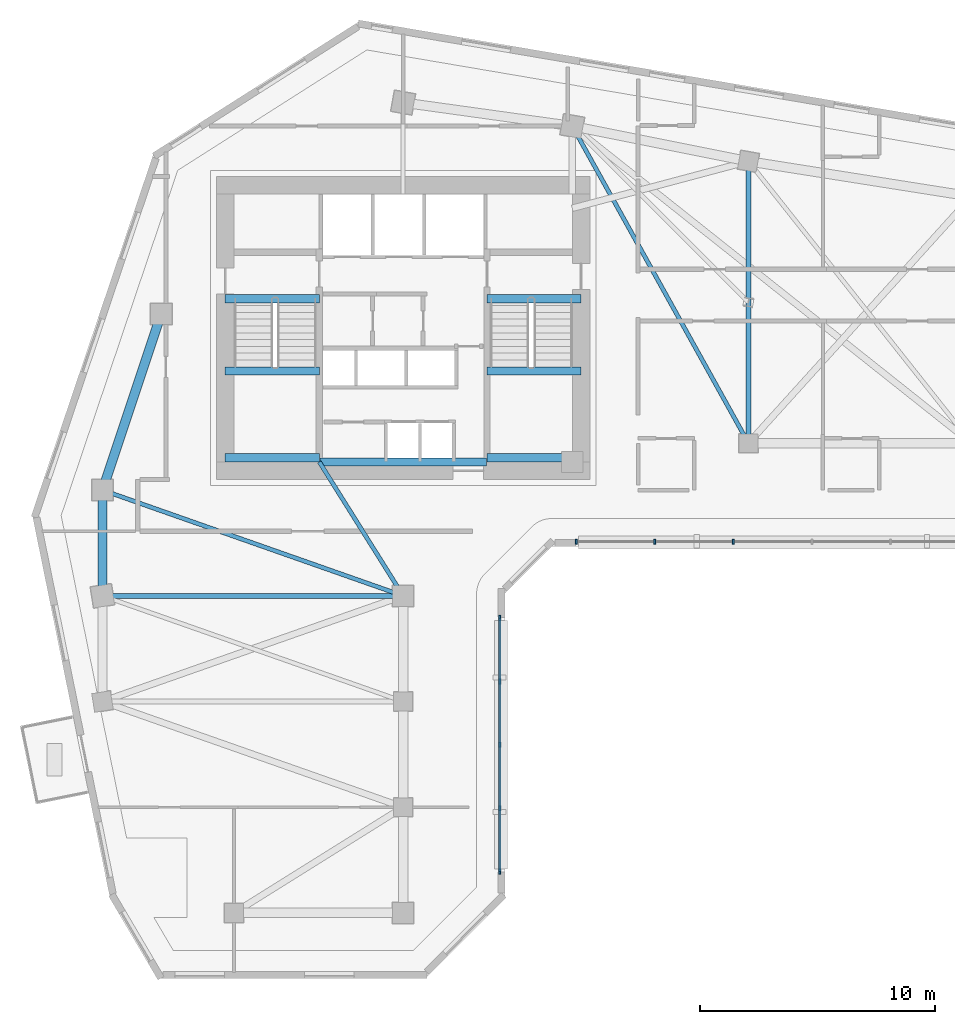
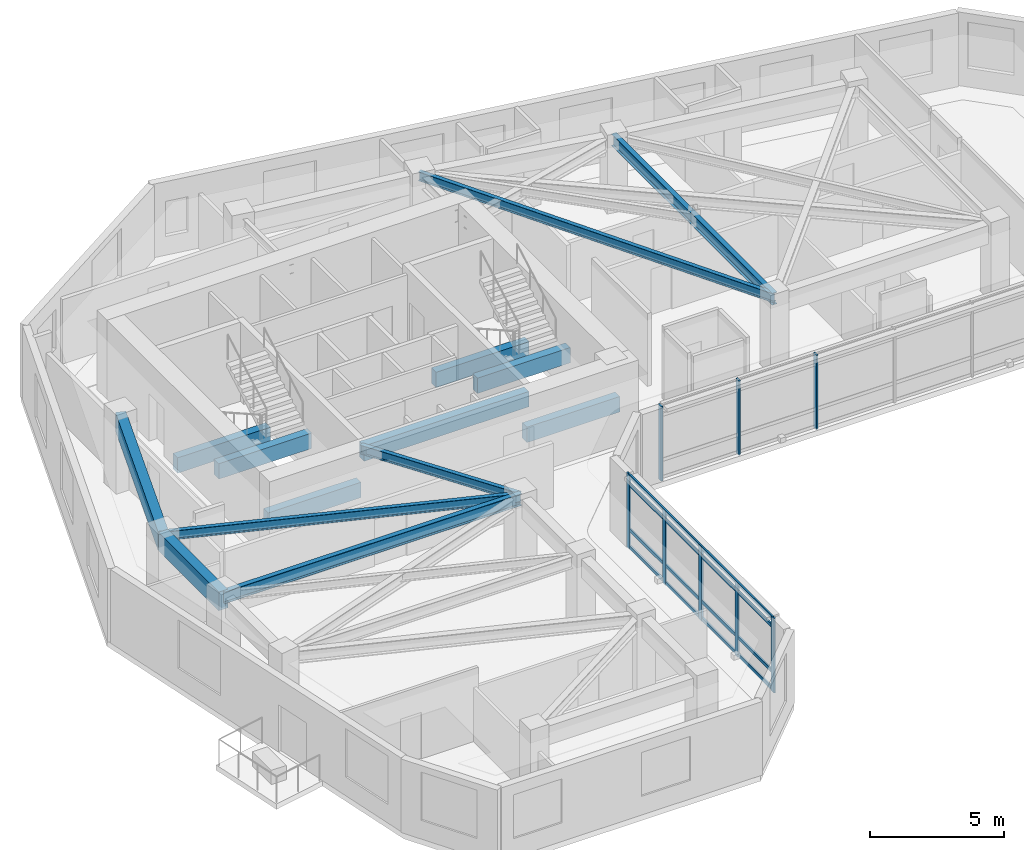
# One storey, part 2 of 11: 14 beams, 12 members, 2 elements without a shape of their own.
"""IFC4 building model written with IfcOpenShell, lengths in metres."""

from ifc_helpers import new_model, si_unit, direction, frame, origin, origin_2d, place, context, subcontext, project, spatial, rectangle, i_section, extrude, source, transform, mapped, material, material_profile, profile_set, type_object, element, aggregate, save


model = new_model("IFC4")

# Units and contexts
model_context = context("Model", 3, precision=1e-05, world=origin(), true_north=direction((0.0, 1.0)))
body_context = subcontext(model_context, "Body", "Model", "MODEL_VIEW")
ifc_project = project(units=[si_unit("LENGTHUNIT", "METRE"), si_unit("AREAUNIT", "SQUARE_METRE"), si_unit("VOLUMEUNIT", "CUBIC_METRE"), si_unit("PLANEANGLEUNIT", "RADIAN"), si_unit("MASSUNIT", "GRAM", prefix="KILO")], contexts=[model_context])

# Site, building, storey
site_placement = place(None, origin())
site = spatial("IfcSite", under=ifc_project, at=site_placement, CompositionType="ELEMENT")
building_placement = place(site_placement, origin())
building = spatial("IfcBuilding", under=site, at=building_placement, Name="Calvemar Wedge Station Tower", CompositionType="ELEMENT")
storey_placement = place(building_placement, frame((0.0, 0.0, 157.39990234375)))
storey = spatial("IfcBuildingStorey", under=building, at=storey_placement, Name="L39", CompositionType="ELEMENT", Elevation=157.39990234375)

# Beams
ifc_material_1 = material(Name="Concrete C60", Category="concrete")
ifc_material_profile_1 = material_profile(ifc_material_1, rectangle(XDim=0.39990234375, YDim=0.85009765625, at=origin_2d()), Name="RC400x850")
ifc_profile_set_1 = profile_set([ifc_material_profile_1], Name="Concrete C60")
beam_type_1 = type_object("IfcBeamType", Name="BM-SP1-850", PredefinedType="SPANDREL", material=ifc_profile_set_1)
shared_shape_1 = source(origin(), body_context, "Body", "SweptSolid", [
    extrude(rectangle(XDim=0.39990234375, YDim=0.85009765625, at=origin_2d()), origin(), (0.0, 0.0, 1.0), 7.90576171875),
])
beam_1_placement = place(storey_placement, frame((11.0, 33.0, 2.925048828125), z_axis=(0.316227766017, 0.948683298051, 0.0), x_axis=(-0.948683298051, 0.316227766017, 0.0)))
element("IfcBeam", 1, at=beam_1_placement, inside=storey, type_object=beam_type_1, Name="Storey L39 Spandrel T-NW1-T-NW2", PredefinedType="SPANDREL", context=body_context, shape_type="MappedRepresentation", body=[
    mapped(shared_shape_1, transform((0.0, 0.0, 0.0), scale=1.0)),
])
shared_shape_2 = source(origin(), body_context, "Body", "SweptSolid", [
    extrude(rectangle(XDim=0.39990234375, YDim=0.85009765625, at=origin_2d()), origin(), (0.0, 0.0, 1.0), 4.5),
])
beam_2_placement = place(storey_placement, frame((11.0, 33.0, 2.925048828125), z_axis=(0.0, -1.0, 0.0), x_axis=(1.0, 0.0, 0.0)))
element("IfcBeam", 2, at=beam_2_placement, inside=storey, type_object=beam_type_1, Name="Storey L39 Spandrel T-NW1-T-SW1", PredefinedType="SPANDREL", context=body_context, shape_type="MappedRepresentation", body=[
    mapped(shared_shape_2, transform((0.0, 0.0, 0.0), scale=1.0)),
])
ifc_material_2 = material(Name="Structural steel ASTM A572 Grade 50", Category="steel")
ifc_material_profile_2 = material_profile(ifc_material_2, i_section(OverallWidth=0.177978515625, OverallDepth=0.406982421875, WebThickness=0.0078125, FlangeThickness=0.0126953125, FilletRadius=0.010009765625, at=origin_2d()), Name="W410x60")
ifc_profile_set_2 = profile_set([ifc_material_profile_2], Name="Structural steel ASTM A572 Grade 50")
beam_type_2 = type_object("IfcBeamType", Name="BM-J3-W410", PredefinedType="JOIST", material=ifc_profile_set_2)
shared_shape_3 = source(origin(), body_context, "Body", "SweptSolid", [
    extrude(i_section(OverallWidth=0.177978515625, OverallDepth=0.406982421875, WebThickness=0.0078125, FlangeThickness=0.0126953125, FilletRadius=0.010009765625, at=origin_2d()), origin(), (0.0, 0.0, 1.0), 15.443359375),
])
beam_3_placement = place(storey_placement, frame((31.0, 48.5, 3.146484375), z_axis=(0.485642931179, -0.874157276122, 0.0), x_axis=(0.874157276122, 0.485642931179, 0.0)))
element("IfcBeam", 3, at=beam_3_placement, inside=storey, type_object=beam_type_2, Name="Storey L39 Floor Beam T-N2-T-NL2", PredefinedType="JOIST", context=body_context, shape_type="MappedRepresentation", body=[
    mapped(shared_shape_3, transform((0.0, 0.0, 0.0), scale=1.0)),
])
shared_shape_4 = source(origin(), body_context, "Body", "SweptSolid", [
    extrude(i_section(OverallWidth=0.177978515625, OverallDepth=0.406982421875, WebThickness=0.0078125, FlangeThickness=0.0126953125, FilletRadius=0.010009765625, at=origin_2d()), origin(), (0.0, 0.0, 1.0), 13.568115234375),
])
beam_4_placement = place(storey_placement, frame((11.0, 33.0, 3.146484375), z_axis=(0.943398221169, -0.331662171939, 0.0), x_axis=(0.331662171939, 0.943398221169, 0.0)))
element("IfcBeam", 4, at=beam_4_placement, inside=storey, type_object=beam_type_2, Name="Storey L39 Floor Beam T-NW1-T-SE1", PredefinedType="JOIST", context=body_context, shape_type="MappedRepresentation", body=[
    mapped(shared_shape_4, transform((0.0, 0.0, 0.0), scale=1.0)),
])
shared_shape_5 = source(origin(), body_context, "Body", "SweptSolid", [
    extrude(i_section(OverallWidth=0.177978515625, OverallDepth=0.406982421875, WebThickness=0.0078125, FlangeThickness=0.0126953125, FilletRadius=0.010009765625, at=origin_2d()), origin(), (0.0, 0.0, 1.0), 6.7255859375),
])
beam_5_placement = place(storey_placement, frame((20.22998046875, 34.199951171875, 3.146484375), z_axis=(0.530811158438, -0.847490126242, 0.0), x_axis=(0.847490126242, 0.530811158438, 0.0)))
element("IfcBeam", 5, at=beam_5_placement, inside=storey, type_object=beam_type_2, Name="Storey L39 Core-to-Column Joist CJ-S2", PredefinedType="JOIST", context=body_context, shape_type="MappedRepresentation", body=[
    mapped(shared_shape_5, transform((0.0, 0.0, 0.0), scale=1.0)),
])
ifc_material_3 = material(Name="Concrete C70", Category="concrete")
ifc_material_profile_3 = material_profile(ifc_material_3, rectangle(XDim=0.35009765625, YDim=0.699951171875, at=origin_2d()), Name="RC350x700")
ifc_profile_set_3 = profile_set([ifc_material_profile_3], Name="Concrete C70")
beam_type_3 = type_object("IfcBeamType", Name="BM-LN1-700", PredefinedType="LINTEL", material=ifc_profile_set_3)
shared_shape_6 = source(origin(), body_context, "Body", "SweptSolid", [
    extrude(rectangle(XDim=0.35009765625, YDim=0.699951171875, at=origin_2d()), origin(), (0.0, 0.0, 1.0), 7.10009765625),
])
beam_6_placement = place(storey_placement, frame((20.25, 34.199951171875, 3.0), z_axis=(1.0, 0.0, 0.0), x_axis=(0.0, 1.0, 0.0)))
element("IfcBeam", 6, at=beam_6_placement, inside=storey, type_object=beam_type_3, Name="Storey L39 Core Coupling Lintel South", PredefinedType="LINTEL", context=body_context, shape_type="MappedRepresentation", body=[
    mapped(shared_shape_6, transform((0.0, 0.0, 0.0), scale=1.0)),
])
shared_shape_7 = source(origin(), body_context, "Body", "SweptSolid", [
    extrude(rectangle(XDim=0.35009765625, YDim=0.699951171875, at=origin_2d()), origin(), (0.0, 0.0, 1.0), 4.0048828125),
])
for number, where, z_axis, x_axis, name in (
    (7, (16.22509765625, 41.14990234375, -0.349853515625), (1.0, 0.0, 0.0), (0.0, 1.0, 0.0), "Storey L39 Stair ST-C1 Landing Trimmer Beam"),
    (8, (27.3701171875, 41.14990234375, -0.349853515625), (1.0, 0.0, 0.0), (0.0, 1.0, 0.0), "Storey L39 Stair ST-C2 Landing Trimmer Beam"),
    (9, (16.22509765625, 34.3798828125, 1.25), (1.0, 0.0, 0.0), (0.0, 1.0, 0.0), "Storey L39 Stair ST-C1 Half-Landing Beam 1A"),
    (10, (16.22509765625, 38.070068359375, 1.25), (1.0, 0.0, 0.0), (0.0, 1.0, 0.0), "Storey L39 Stair ST-C1 Half-Landing Beam 1B"),
    (11, (27.3701171875, 34.3798828125, 1.25), (1.0, 0.0, 0.0), (0.0, 1.0, 0.0), "Storey L39 Stair ST-C2 Half-Landing Beam 1A"),
    (12, (27.3701171875, 38.070068359375, 1.25), (1.0, 0.0, 0.0), (0.0, 1.0, 0.0), "Storey L39 Stair ST-C2 Half-Landing Beam 1B"),
):
    element("IfcBeam", number, at=place(storey_placement, frame(where, z_axis=z_axis, x_axis=x_axis)), inside=storey, type_object=beam_type_3, Name=name, PredefinedType="LINTEL", context=body_context, shape_type="MappedRepresentation", body=[
        mapped(shared_shape_7, transform((0.0, 0.0, 0.0), scale=1.0)),
    ])
ifc_material_profile_4 = material_profile(ifc_material_2, i_section(OverallWidth=0.2109375, OverallDepth=0.5390625, WebThickness=0.01171875, FlangeThickness=0.018798828125, FilletRadius=0.012939453125, at=origin_2d()), Name="W530x109")
ifc_profile_set_4 = profile_set([ifc_material_profile_4], Name="Structural steel ASTM A572 Grade 50")
beam_type_4 = type_object("IfcBeamType", Name="BM-SB4-W530", PredefinedType="BEAM", material=ifc_profile_set_4)
shared_shape_8 = source(origin(), body_context, "Body", "SweptSolid", [
    extrude(i_section(OverallWidth=0.2109375, OverallDepth=0.5390625, WebThickness=0.01171875, FlangeThickness=0.018798828125, FilletRadius=0.012939453125, at=origin_2d()), origin(), (0.0, 0.0, 1.0), 12.0),
])
beam_7_placement = place(storey_placement, frame((38.5, 47.0, 3.08056640625), z_axis=(0.0, -1.0, 0.0), x_axis=(1.0, 0.0, 0.0)))
element("IfcBeam", 13, at=beam_7_placement, inside=storey, type_object=beam_type_4, Name="Storey L39 Floor Beam T-NU3-T-NL2", PredefinedType="BEAM", context=body_context, shape_type="MappedRepresentation", body=[
    mapped(shared_shape_8, transform((0.0, 0.0, 0.0), scale=1.0)),
])
shared_shape_9 = source(origin(), body_context, "Body", "SweptSolid", [
    extrude(i_section(OverallWidth=0.2109375, OverallDepth=0.5390625, WebThickness=0.01171875, FlangeThickness=0.018798828125, FilletRadius=0.012939453125, at=origin_2d()), origin(), (0.0, 0.0, 1.0), 12.800048828125),
])
beam_8_placement = place(storey_placement, frame((11.0, 28.5, 3.08056640625), z_axis=(1.0, 0.0, 0.0), x_axis=(0.0, 1.0, 0.0)))
element("IfcBeam", 14, at=beam_8_placement, inside=storey, type_object=beam_type_4, Name="Storey L39 Floor Beam T-SW1-T-SE1", PredefinedType="BEAM", context=body_context, shape_type="MappedRepresentation", body=[
    mapped(shared_shape_9, transform((0.0, 0.0, 0.0), scale=1.0)),
])

# Curtain wall, members
ifc_material_4 = material(Name="Anodised aluminium 6063-T6", Category="aluminium")
curtain_wall_type = type_object("IfcCurtainWallType", Name="CW2", PredefinedType="NOTDEFINED", material=ifc_material_4)
curtain_wall_1_placement = place(storey_placement, origin())
curtain_wall_1 = element("IfcCurtainWall", 15, at=curtain_wall_1_placement, inside=storey, type_object=curtain_wall_type, Name="Storey L39 CW2 Recessed Unitised Curtain Wall 4", PredefinedType="NOTDEFINED")
ifc_material_profile_5 = material_profile(ifc_material_4, rectangle(XDim=0.074951171875, YDim=0.219970703125, at=origin_2d()), Name="AL-MUL-75x220")
ifc_profile_set_5 = profile_set([ifc_material_profile_5], Name="Anodised aluminium 6063-T6")
member_type_1 = type_object("IfcMemberType", Name="CW2-MUL", PredefinedType="MULLION", material=ifc_profile_set_5)
shared_shape_10 = source(origin(), body_context, "Body", "SweptSolid", [
    extrude(rectangle(XDim=0.074951171875, YDim=0.219970703125, at=origin_2d()), origin(), (0.0, 0.0, 1.0), 3.39990234375),
])
member_1_placement = place(storey_placement, frame((27.91796875, 16.76220703125, -0.0498046875), z_axis=(0.0, 0.0, 1.0), x_axis=(1.0, 0.0, 0.0)))
member_1 = element("IfcMember", 16, at=member_1_placement, type_object=member_type_1, Name="CW2 mullion 1", PredefinedType="MULLION", context=body_context, shape_type="MappedRepresentation", body=[
    mapped(shared_shape_10, transform((0.0, 0.0, 0.0), scale=1.0)),
])
member_2_placement = place(storey_placement, frame((27.91796875, 19.460205078125, -0.0498046875), z_axis=(0.0, 0.0, 1.0), x_axis=(1.0, 0.0, 0.0)))
member_2 = element("IfcMember", 17, at=member_2_placement, type_object=member_type_1, Name="CW2 mullion 2", PredefinedType="MULLION", context=body_context, shape_type="MappedRepresentation", body=[
    mapped(shared_shape_10, transform((0.0, 0.0, 0.0), scale=1.0)),
])
member_3_placement = place(storey_placement, frame((27.91796875, 22.158203125, -0.0498046875), z_axis=(0.0, 0.0, 1.0), x_axis=(1.0, 0.0, 0.0)))
member_3 = element("IfcMember", 18, at=member_3_placement, type_object=member_type_1, Name="CW2 mullion 3", PredefinedType="MULLION", context=body_context, shape_type="MappedRepresentation", body=[
    mapped(shared_shape_10, transform((0.0, 0.0, 0.0), scale=1.0)),
])
member_4_placement = place(storey_placement, frame((27.91796875, 24.856201171875, -0.0498046875), z_axis=(0.0, 0.0, 1.0), x_axis=(1.0, 0.0, 0.0)))
member_4 = element("IfcMember", 19, at=member_4_placement, type_object=member_type_1, Name="CW2 mullion 4", PredefinedType="MULLION", context=body_context, shape_type="MappedRepresentation", body=[
    mapped(shared_shape_10, transform((0.0, 0.0, 0.0), scale=1.0)),
])
member_5_placement = place(storey_placement, frame((27.91796875, 27.55419921875, -0.0498046875), z_axis=(0.0, 0.0, 1.0), x_axis=(1.0, 0.0, 0.0)))
member_5 = element("IfcMember", 20, at=member_5_placement, type_object=member_type_1, Name="CW2 mullion 5", PredefinedType="MULLION", context=body_context, shape_type="MappedRepresentation", body=[
    mapped(shared_shape_10, transform((0.0, 0.0, 0.0), scale=1.0)),
])

curtain_wall_2_placement = place(storey_placement, origin())
curtain_wall_2 = element("IfcCurtainWall", 21, at=curtain_wall_2_placement, inside=storey, type_object=curtain_wall_type, Name="Storey L39 CW2 Recessed Unitised Curtain Wall 6", PredefinedType="NOTDEFINED")
member_6_placement = place(storey_placement, frame((31.166015625, 30.802001953125, -0.0498046875), z_axis=(0.0, 0.0, 1.0), x_axis=(1.0, 0.0, 0.0)))
member_6 = element("IfcMember", 22, at=member_6_placement, type_object=member_type_1, Name="CW2 mullion 1", PredefinedType="MULLION", context=body_context, shape_type="MappedRepresentation", body=[
    mapped(shared_shape_10, transform((0.0, 0.0, 0.0), scale=1.0)),
])
member_7_placement = place(storey_placement, frame((34.51123046875, 30.802001953125, -0.0498046875), z_axis=(0.0, 0.0, 1.0), x_axis=(1.0, 0.0, 0.0)))
member_7 = element("IfcMember", 23, at=member_7_placement, type_object=member_type_1, Name="CW2 mullion 2", PredefinedType="MULLION", context=body_context, shape_type="MappedRepresentation", body=[
    mapped(shared_shape_10, transform((0.0, 0.0, 0.0), scale=1.0)),
])
member_8_placement = place(storey_placement, frame((37.856689453125, 30.802001953125, -0.0498046875), z_axis=(0.0, 0.0, 1.0), x_axis=(1.0, 0.0, 0.0)))
member_8 = element("IfcMember", 24, at=member_8_placement, type_object=member_type_1, Name="CW2 mullion 3", PredefinedType="MULLION", context=body_context, shape_type="MappedRepresentation", body=[
    mapped(shared_shape_10, transform((0.0, 0.0, 0.0), scale=1.0)),
])
aggregate(curtain_wall_2, [member_6, member_7, member_8])

# Member
ifc_material_profile_6 = material_profile(ifc_material_4, rectangle(XDim=0.074951171875, YDim=0.14990234375, at=origin_2d()), Name="AL-TRN-75x150")
ifc_profile_set_6 = profile_set([ifc_material_profile_6], Name="Anodised aluminium 6063-T6")
member_type_2 = type_object("IfcMemberType", Name="CW2-TRN", PredefinedType="USERDEFINED", material=ifc_profile_set_6)
shared_shape_11 = source(origin(), body_context, "Body", "SweptSolid", [
    extrude(rectangle(XDim=0.074951171875, YDim=0.14990234375, at=origin_2d()), origin(), (0.0, 0.0, 1.0), 10.7919921875),
])
member_9_placement = place(storey_placement, frame((27.91796875, 16.76220703125, 0.06005859375), z_axis=(0.0, 1.0, 0.0), x_axis=(-1.0, 0.0, 0.0)))
member_9 = element("IfcMember", 25, at=member_9_placement, type_object=member_type_2, Name="CW2 transom 1", ObjectType="TRANSOM", PredefinedType="USERDEFINED", context=body_context, shape_type="MappedRepresentation", body=[
    mapped(shared_shape_11, transform((0.0, 0.0, 0.0), scale=1.0)),
])

member_10_placement = place(storey_placement, frame((27.91796875, 16.76220703125, 0.85009765625), z_axis=(0.0, 1.0, 0.0), x_axis=(-1.0, 0.0, 0.0)))
member_10 = element("IfcMember", 26, at=member_10_placement, type_object=member_type_2, Name="CW2 transom 2", ObjectType="TRANSOM", PredefinedType="USERDEFINED", context=body_context, shape_type="MappedRepresentation", body=[
    mapped(shared_shape_11, transform((0.0, 0.0, 0.0), scale=1.0)),
])

member_11_placement = place(storey_placement, frame((27.91796875, 16.76220703125, 2.900146484375), z_axis=(0.0, 1.0, 0.0), x_axis=(-1.0, 0.0, 0.0)))
member_11 = element("IfcMember", 27, at=member_11_placement, type_object=member_type_2, Name="CW2 transom 3", ObjectType="TRANSOM", PredefinedType="USERDEFINED", context=body_context, shape_type="MappedRepresentation", body=[
    mapped(shared_shape_11, transform((0.0, 0.0, 0.0), scale=1.0)),
])

member_12_placement = place(storey_placement, frame((27.91796875, 16.76220703125, 3.2900390625), z_axis=(0.0, 1.0, 0.0), x_axis=(-1.0, 0.0, 0.0)))
member_12 = element("IfcMember", 28, at=member_12_placement, type_object=member_type_2, Name="CW2 transom 4", ObjectType="TRANSOM", PredefinedType="USERDEFINED", context=body_context, shape_type="MappedRepresentation", body=[
    mapped(shared_shape_11, transform((0.0, 0.0, 0.0), scale=1.0)),
])

aggregate(curtain_wall_1, [member_1, member_2, member_3, member_4, member_5, member_9, member_10, member_11, member_12])

save(model, "model.ifc")
